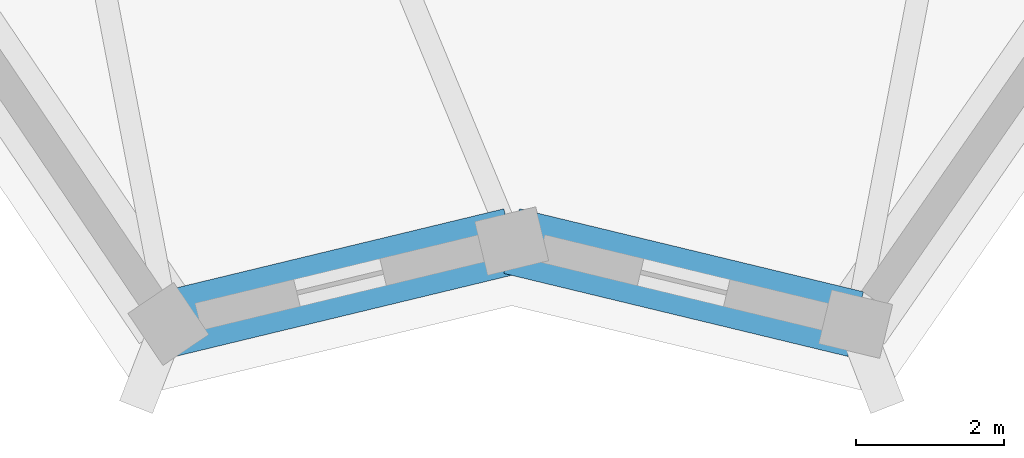
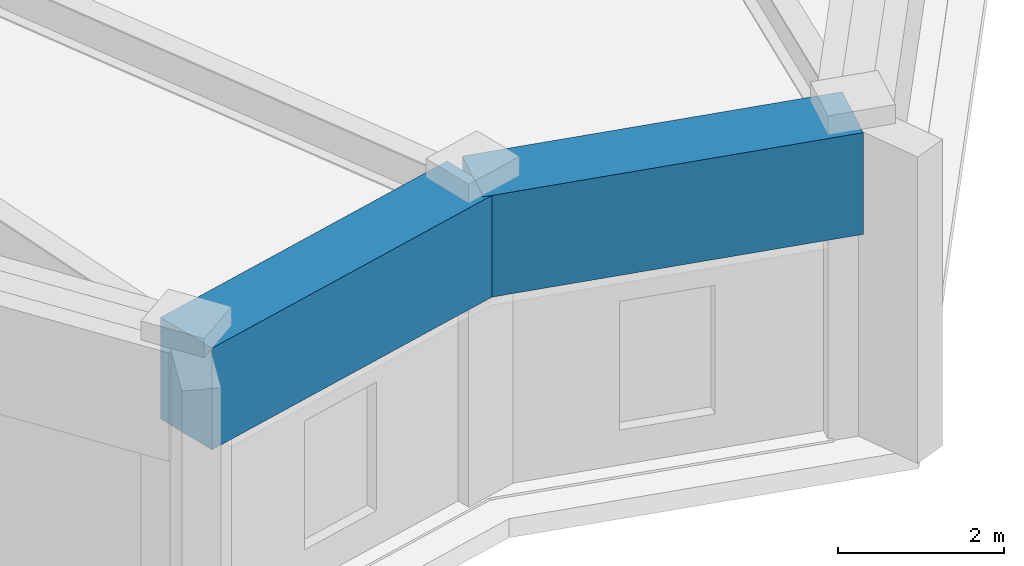
# One storey, part 3 of 40: 2 beams.
"""IFC4 building model written with IfcOpenShell, lengths in metres."""

from ifc_helpers import new_model, si_unit, direction, frame, origin, origin_2d, place, context, subcontext, project, spatial, rectangle, extrude, source, transform, mapped, material, material_profile, profile_set, type_object, element, save


model = new_model("IFC4")

# Units and contexts
model_context = context("Model", 3, precision=1e-05, world=origin(), true_north=direction((0.0, 1.0)))
body_context = subcontext(model_context, "Body", "Model", "MODEL_VIEW")
ifc_project = project(units=[si_unit("LENGTHUNIT", "METRE"), si_unit("AREAUNIT", "SQUARE_METRE"), si_unit("VOLUMEUNIT", "CUBIC_METRE"), si_unit("PLANEANGLEUNIT", "RADIAN"), si_unit("MASSUNIT", "GRAM", prefix="KILO")], contexts=[model_context])

# Site, building, storey
site_placement = place(None, origin())
site = spatial("IfcSite", under=ifc_project, at=site_placement, CompositionType="ELEMENT")
building_placement = place(site_placement, origin())
building = spatial("IfcBuilding", under=site, at=building_placement, Name="Liaohun Quay Tower", CompositionType="ELEMENT")
storey_placement = place(building_placement, frame((0.0, 0.0, 351.0)))
storey = spatial("IfcBuildingStorey", under=building, at=storey_placement, Name="L91", CompositionType="ELEMENT", Elevation=351.0)

# Beams
ifc_material = material(Name="Concrete C55", Category="concrete")
ifc_material_profile = material_profile(ifc_material, rectangle(XDim=0.89990234375, YDim=1.5, at=origin_2d()), Name="RC900x1500")
ifc_profile_set = profile_set([ifc_material_profile], Name="Concrete C55")
beam_type = type_object("IfcBeamType", Name="BM-CAN-RING", PredefinedType="BEAM", material=ifc_profile_set)
shared_shape_1 = source(origin(), body_context, "Body", "SweptSolid", [
    extrude(rectangle(XDim=0.89990234375, YDim=1.5, at=origin_2d()), origin(), (0.0, 0.0, 1.0), 4.78857421875),
])
beam_1_placement = place(storey_placement, frame((64.655029296875, 23.676025390625, 3.77001953125), z_axis=(-0.972109870601, 0.234525903643, 0.0), x_axis=(-0.234525903643, -0.972109870601, 0.0)))
element("IfcBeam", 1, at=beam_1_placement, inside=storey, type_object=beam_type, Name="L91 Precast Spandrel Beam PC11-PC12", PredefinedType="BEAM", context=body_context, shape_type="MappedRepresentation", body=[
    mapped(shared_shape_1, transform((0.0, 0.0, 0.0), x_axis=(1.0, 0.0, 0.0), y_axis=(0.0, 1.0, 0.0), z_axis=(0.0, 0.0, 1.0), scale=1.0)),
])
shared_shape_2 = source(origin(), body_context, "Body", "SweptSolid", [
    extrude(rectangle(XDim=0.89990234375, YDim=1.5, at=origin_2d()), origin(), (0.0, 0.0, 1.0), 4.779296875),
])
beam_2_placement = place(storey_placement, frame((60.0, 24.799072265625, 3.77001953125), z_axis=(-0.972099080488, -0.234570624151, 0.0), x_axis=(0.234570624151, -0.972099080488, 0.0)))
element("IfcBeam", 2, at=beam_2_placement, inside=storey, type_object=beam_type, Name="L91 Precast Spandrel Beam PC12-PC01", PredefinedType="BEAM", context=body_context, shape_type="MappedRepresentation", body=[
    mapped(shared_shape_2, transform((0.0, 0.0, 0.0), x_axis=(1.0, 0.0, 0.0), y_axis=(0.0, 1.0, 0.0), z_axis=(0.0, 0.0, 1.0), scale=1.0)),
])

save(model, "model.ifc")
